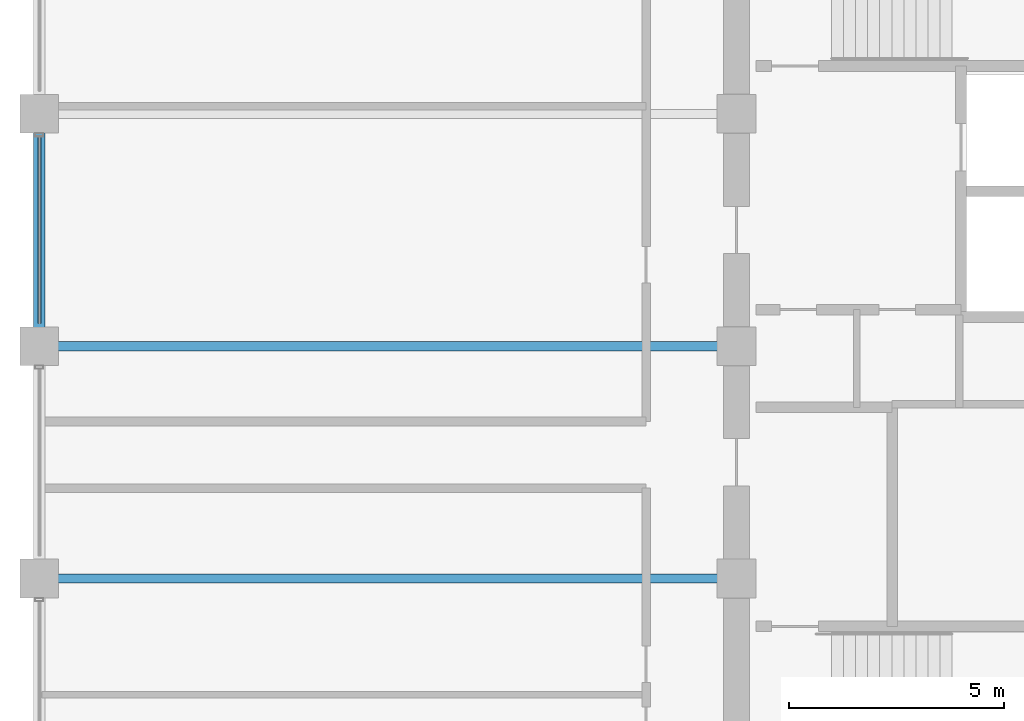
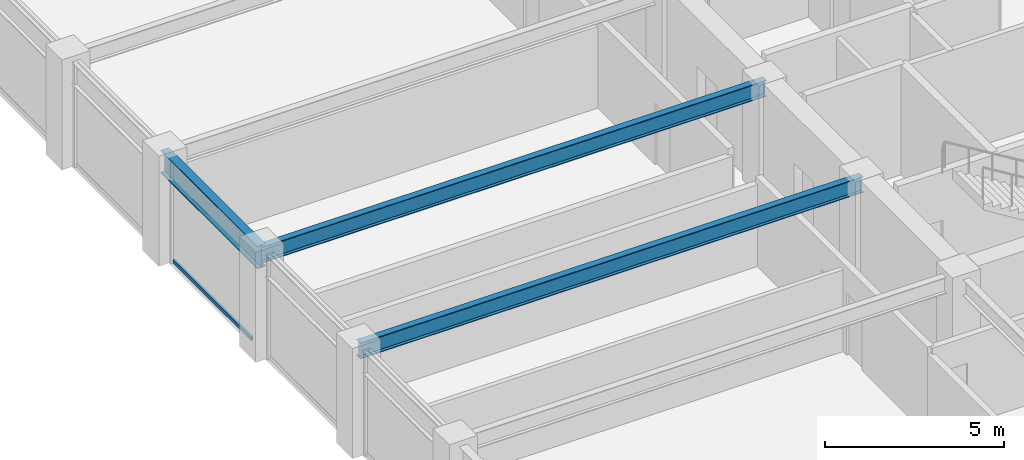
# One storey, part 9 of 32: 3 beams, 1 member, 1 element without a shape of its own.
"""IFC4 building model written with IfcOpenShell, lengths in metres."""

from ifc_helpers import new_model, si_unit, direction, frame, origin, origin_2d, place, context, subcontext, project, spatial, hollow_rectangle, i_section, extrude, material, layer, layer_set, material_profile, profile_set, type_object, element, aggregate, save


model = new_model("IFC4")

# Units and contexts
model_context = context("Model", 3, precision=1e-05, world=origin(), true_north=direction((0.0, 1.0)))
body_context = subcontext(model_context, "Body", "Model", "MODEL_VIEW")
ifc_project = project(units=[si_unit("LENGTHUNIT", "METRE"), si_unit("AREAUNIT", "SQUARE_METRE"), si_unit("VOLUMEUNIT", "CUBIC_METRE"), si_unit("PLANEANGLEUNIT", "RADIAN"), si_unit("MASSUNIT", "GRAM", prefix="KILO")], contexts=[model_context])

# Site, building, storey
site_placement = place(None, origin())
site = spatial("IfcSite", under=ifc_project, at=site_placement, CompositionType="ELEMENT")
building_placement = place(site_placement, origin())
building = spatial("IfcBuilding", under=site, at=building_placement, Name="Surkhivell Harbour Commons", CompositionType="ELEMENT")
storey_placement = place(building_placement, frame((0.0, 0.0, 204.75)))
storey = spatial("IfcBuildingStorey", under=building, at=storey_placement, Name="L53", CompositionType="ELEMENT", Elevation=204.75)

# Beams
ifc_material_1 = material(Name="Steel S355", Category="steel")
ifc_material_profile_1 = material_profile(ifc_material_1, i_section(OverallWidth=0.2119140625, OverallDepth=0.5439453125, WebThickness=0.0126953125, FlangeThickness=0.021240234375, at=origin_2d()), Name="UB533x210x122")
ifc_profile_set_1 = profile_set([ifc_material_profile_1], Name="Steel S355")
beam_type_1 = type_object("IfcBeamType", Name="BM-GRD-533A", PredefinedType="BEAM", material=ifc_profile_set_1)
for number, where, z_axis, x_axis, name in (
    (1, (-27.0, -5.39990234375, 3.298095703125), (1.0, 0.0, 0.0), (0.0, 1.0, 0.0), "L53 Floor Girder (-27.0,-5.4)"),
    (2, (-27.0, 0.0, 3.298095703125), (1.0, 0.0, 0.0), (0.0, 1.0, 0.0), "L53 Floor Girder (-27.0,0.0)"),
):
    element("IfcBeam", number, at=place(storey_placement, frame(where, z_axis=z_axis, x_axis=x_axis)), inside=storey, type_object=beam_type_1, Name=name, PredefinedType="BEAM", context=body_context, shape_type="SweptSolid", body=[
        extrude(i_section(OverallWidth=0.2119140625, OverallDepth=0.5439453125, WebThickness=0.0126953125, FlangeThickness=0.021240234375, at=origin_2d()), origin(), (0.0, 0.0, 1.0), 16.199951171875),
    ])
ifc_material_profile_2 = material_profile(ifc_material_1, i_section(OverallWidth=0.26806640625, OverallDepth=0.77001953125, WebThickness=0.015625, FlangeThickness=0.025390625, at=origin_2d()), Name="UB762x267x197")
ifc_profile_set_2 = profile_set([ifc_material_profile_2], Name="Steel S355")
beam_type_2 = type_object("IfcBeamType", Name="BM-SPN-762", PredefinedType="SPANDREL", material=ifc_profile_set_2)
beam_placement = place(storey_placement, frame((-27.0, 0.0, 3.18505859375), z_axis=(0.0, 1.0, 0.0), x_axis=(-1.0, 0.0, 0.0)))
element("IfcBeam", 3, at=beam_placement, inside=storey, type_object=beam_type_2, Name="L53 Tube Spandrel (-27.0,0.0)", PredefinedType="SPANDREL", context=body_context, shape_type="SweptSolid", body=[
    extrude(i_section(OverallWidth=0.26806640625, OverallDepth=0.77001953125, WebThickness=0.015625, FlangeThickness=0.025390625, at=origin_2d()), origin(), (0.0, 0.0, 1.0), 5.39990234375),
])

# Curtain wall, member
ifc_material_2 = material(Name="Anodised pale-metal aluminium and insulated glazing", Category="aluminium")
ifc_layer = layer(ifc_material_2, 0.18994140625)
ifc_layer_set = layer_set([ifc_layer], Name="Anodised pale-metal aluminium and insulated glazing")
curtain_wall_type = type_object("IfcCurtainWallType", Name="CW-SYS-Z3", PredefinedType="NOTDEFINED", material=ifc_layer_set)
curtain_wall_placement = place(storey_placement, origin())
curtain_wall = element("IfcCurtainWall", 4, at=curtain_wall_placement, inside=storey, type_object=curtain_wall_type, Name="L53 Curtain Wall CW-L53-E12S1", PredefinedType="NOTDEFINED")
ifc_material_3 = material(Name="Champagne anodised aluminium alloy 6063-T6", Category="aluminium")
ifc_material_profile_3 = material_profile(ifc_material_3, hollow_rectangle(XDim=0.070068359375, YDim=0.1298828125, WallThickness=0.00341796875, at=origin_2d()), Name="ALU-TRAN-70x130")
ifc_profile_set_3 = profile_set([ifc_material_profile_3], Name="Champagne anodised aluminium alloy 6063-T6")
member_type = type_object("IfcMemberType", Name="CWT-130", PredefinedType="USERDEFINED", material=ifc_profile_set_3)
member_placement = place(storey_placement, frame((-27.0, 4.873046875, 0.06494140625), z_axis=(0.0, -1.0, 0.0), x_axis=(1.0, 0.0, 0.0)))
member = element("IfcMember", 5, at=member_placement, type_object=member_type, Name="CW-Z3 transom 4.1", ObjectType="TRANSOM", PredefinedType="USERDEFINED", context=body_context, shape_type="SweptSolid", body=[
    extrude(hollow_rectangle(XDim=0.070068359375, YDim=0.1298828125, WallThickness=0.00341796875, at=origin_2d()), origin(), (0.0, 0.0, 1.0), 4.345947265625),
])
aggregate(curtain_wall, [member])

save(model, "model.ifc")
